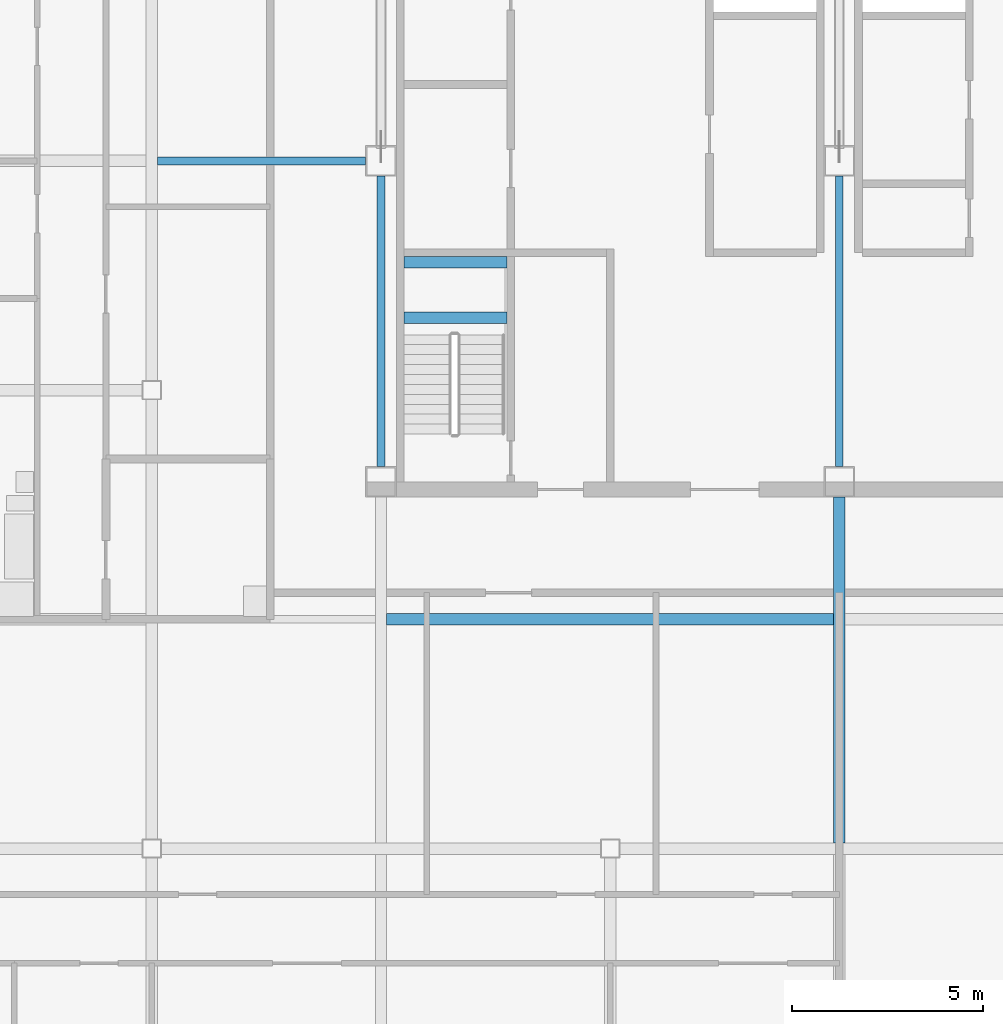
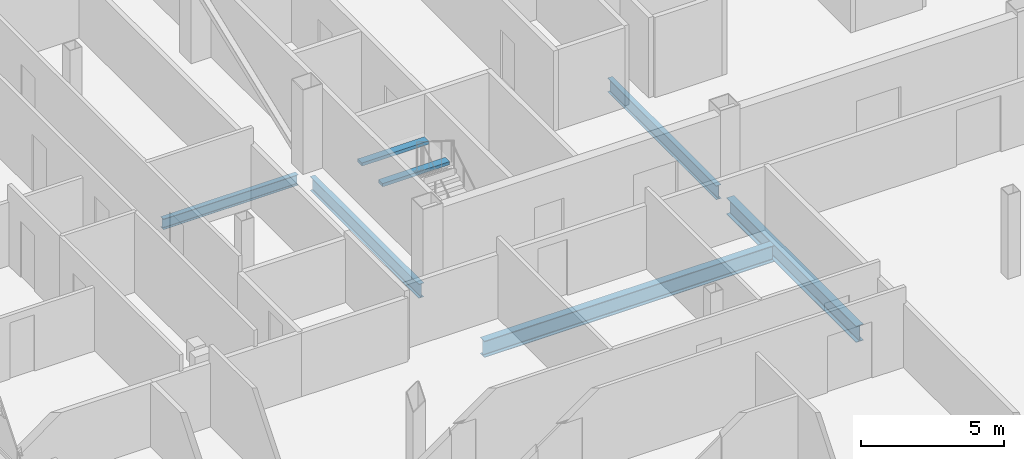
# One storey, part 9 of 30: 7 beams.
"""IFC4 building model written with IfcOpenShell, lengths in metres."""

from ifc_helpers import new_model, si_unit, direction, frame, origin, origin_2d, place, context, subcontext, project, spatial, rectangle, i_section, extrude, material, material_profile, profile_set, type_object, element, save


model = new_model("IFC4")

# Units and contexts
model_context = context("Model", 3, precision=1e-05, world=origin(), true_north=direction((0.0, 1.0)))
body_context = subcontext(model_context, "Body", "Model", "MODEL_VIEW")
ifc_project = project(units=[si_unit("LENGTHUNIT", "METRE"), si_unit("AREAUNIT", "SQUARE_METRE"), si_unit("VOLUMEUNIT", "CUBIC_METRE"), si_unit("PLANEANGLEUNIT", "RADIAN"), si_unit("MASSUNIT", "GRAM", prefix="KILO")], contexts=[model_context])

# Site, building, storey
site_placement = place(None, origin())
site = spatial("IfcSite", under=ifc_project, at=site_placement, CompositionType="ELEMENT")
building_placement = place(site_placement, origin())
building = spatial("IfcBuilding", under=site, at=building_placement, Name="Sorahane Residences", CompositionType="ELEMENT")
storey_placement = place(building_placement, frame((0.0, 0.0, 263.0)))
storey = spatial("IfcBuildingStorey", under=building, at=storey_placement, Name="L62", CompositionType="ELEMENT", Elevation=263.0)

# Beams
ifc_material_1 = material(Name="Concrete C40", Category="concrete")
ifc_material_profile_1 = material_profile(ifc_material_1, rectangle(XDim=0.300048828125, YDim=0.139892578125, at=origin_2d()), Name="300x140")
ifc_profile_set_1 = profile_set([ifc_material_profile_1], Name="Concrete C40")
beam_type_1 = type_object("IfcBeamType", Name="RC landing beam 300 x 140 Concrete C40", PredefinedType="BEAM", material=ifc_profile_set_1)
for number, where, z_axis, x_axis, name in (
    (1, (6.60009765625, 25.89990234375, 1.530029296875), (1.0, 0.0, 0.0), (0.0, 1.0, 0.0), "Landing beam"),
    (2, (6.60009765625, 27.35009765625, 1.530029296875), (1.0, 0.0, 0.0), (0.0, 1.0, 0.0), "Landing beam"),
):
    element("IfcBeam", number, at=place(storey_placement, frame(where, z_axis=z_axis, x_axis=x_axis)), inside=storey, type_object=beam_type_1, Name=name, PredefinedType="BEAM", context=body_context, shape_type="SweptSolid", body=[
        extrude(rectangle(XDim=0.300048828125, YDim=0.139892578125, at=origin_2d()), origin(), (0.0, 0.0, 1.0), 2.699951171875),
    ])
ifc_material_2 = material(Name="Steel Q355B", Category="steel")
ifc_material_profile_2 = material_profile(ifc_material_2, i_section(OverallWidth=0.199951171875, OverallDepth=0.449951171875, WebThickness=0.009033203125, FlangeThickness=0.013916015625, FilletRadius=0.02001953125, at=origin_2d()), Name="HN 450x200x9x14")
ifc_profile_set_2 = profile_set([ifc_material_profile_2], Name="Steel Q355B")
beam_type_2 = type_object("IfcBeamType", Name="Steel floor beam HN 450x200x9x14 Q355B", PredefinedType="BEAM", material=ifc_profile_set_2)
beam_1_placement = place(storey_placement, frame((0.14990234375, 30.0, -0.405029296875), z_axis=(1.0, 0.0, 0.0), x_axis=(0.0, 1.0, 0.0)))
element("IfcBeam", 3, at=beam_1_placement, inside=storey, type_object=beam_type_2, Name="Beam L62 081", PredefinedType="BEAM", context=body_context, shape_type="SweptSolid", body=[
    extrude(i_section(OverallWidth=0.199951171875, OverallDepth=0.449951171875, WebThickness=0.009033203125, FlangeThickness=0.013916015625, FilletRadius=0.02001953125, at=origin_2d()), origin(), (0.0, 0.0, 1.0), 5.4501953125),
])
ifc_material_3 = material(Name="Steel Q355B", Category="steel")
ifc_material_profile_3 = material_profile(ifc_material_3, i_section(OverallWidth=0.199951171875, OverallDepth=0.60009765625, WebThickness=0.010986328125, FlangeThickness=0.01708984375, FilletRadius=0.02392578125, at=origin_2d()), Name="HN 600x200x11x17")
ifc_profile_set_3 = profile_set([ifc_material_profile_3], Name="Steel Q355B")
beam_type_3 = type_object("IfcBeamType", Name="Steel floor beam HN 600x200x11x17 Q355B", PredefinedType="BEAM", material=ifc_profile_set_3)
for number, where, z_axis, x_axis, name in (
    (4, (6.0, 22.0, -0.47998046875), (0.0, 1.0, 0.0), (-1.0, 0.0, 0.0), "Beam L62 029"),
    (5, (18.0, 22.0, -0.47998046875), (0.0, 1.0, 0.0), (-1.0, 0.0, 0.0), "Beam L62 037"),
):
    element("IfcBeam", number, at=place(storey_placement, frame(where, z_axis=z_axis, x_axis=x_axis)), inside=storey, type_object=beam_type_3, Name=name, PredefinedType="BEAM", context=body_context, shape_type="SweptSolid", body=[
        extrude(i_section(OverallWidth=0.199951171875, OverallDepth=0.60009765625, WebThickness=0.010986328125, FlangeThickness=0.01708984375, FilletRadius=0.02392578125, at=origin_2d()), origin(), (0.0, 0.0, 1.0), 7.60009765625),
    ])
ifc_material_4 = material(Name="Steel Q355B", Category="steel")
ifc_material_profile_4 = material_profile(ifc_material_4, i_section(OverallWidth=0.300048828125, OverallDepth=0.699951171875, WebThickness=0.012939453125, FlangeThickness=0.02392578125, FilletRadius=0.028076171875, at=origin_2d()), Name="HN 700x300x13x24")
ifc_profile_set_4 = profile_set([ifc_material_profile_4], Name="Steel Q355B")
beam_type_4 = type_object("IfcBeamType", Name="Steel floor beam HN 700x300x13x24 Q355B", PredefinedType="BEAM", material=ifc_profile_set_4)
beam_2_placement = place(storey_placement, frame((18.0, 12.14990234375, -0.530029296875), z_axis=(0.0, 1.0, 0.0), x_axis=(-1.0, 0.0, 0.0)))
element("IfcBeam", 6, at=beam_2_placement, inside=storey, type_object=beam_type_4, Name="Beam L62 036", PredefinedType="BEAM", context=body_context, shape_type="SweptSolid", body=[
    extrude(i_section(OverallWidth=0.300048828125, OverallDepth=0.699951171875, WebThickness=0.012939453125, FlangeThickness=0.02392578125, FilletRadius=0.028076171875, at=origin_2d()), origin(), (0.0, 0.0, 1.0), 9.050048828125),
])
beam_3_placement = place(storey_placement, frame((6.14990234375, 18.0, -0.530029296875), z_axis=(1.0, 0.0, 0.0), x_axis=(0.0, 1.0, 0.0)))
element("IfcBeam", 7, at=beam_3_placement, inside=storey, type_object=beam_type_4, Name="Beam L62 075", PredefinedType="BEAM", context=body_context, shape_type="SweptSolid", body=[
    extrude(i_section(OverallWidth=0.300048828125, OverallDepth=0.699951171875, WebThickness=0.012939453125, FlangeThickness=0.02392578125, FilletRadius=0.028076171875, at=origin_2d()), origin(), (0.0, 0.0, 1.0), 11.7001953125),
])

save(model, "model.ifc")
